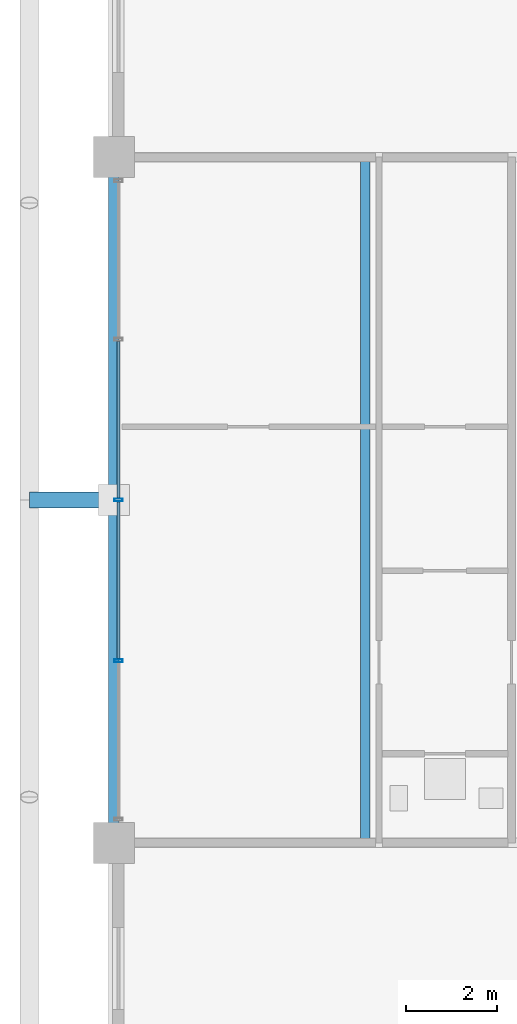
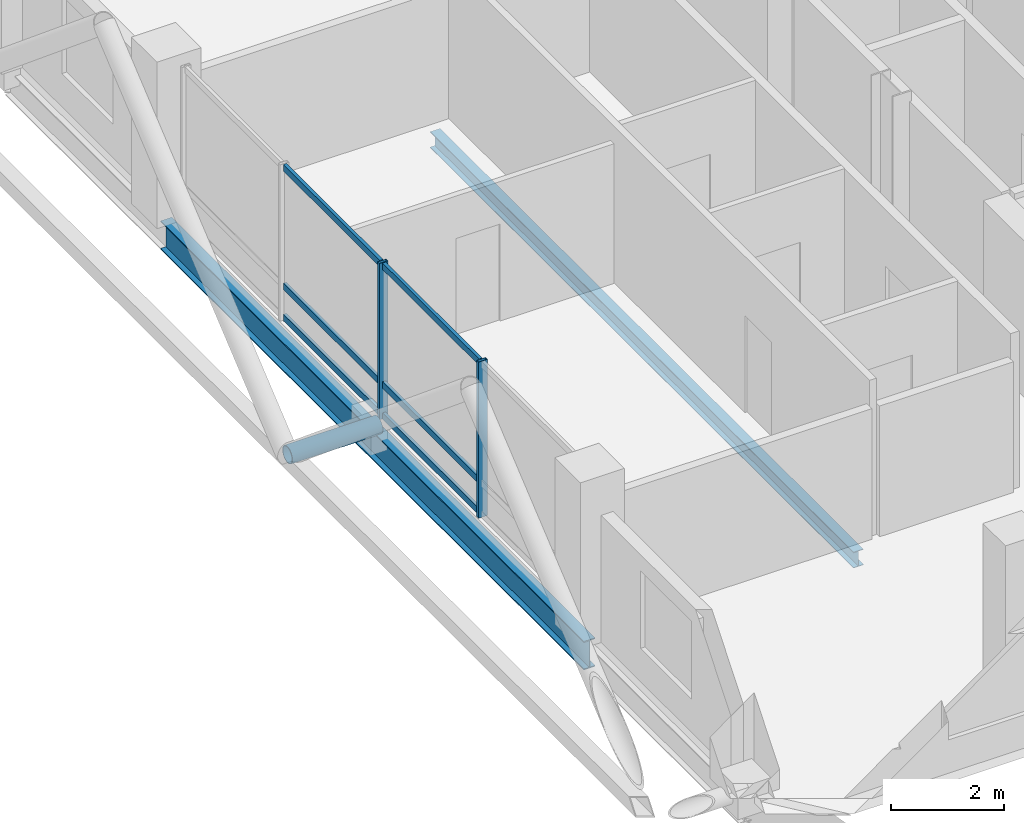
# One storey, part 8 of 24: 9 members, 2 beams, 1 element without a shape of its own.
"""IFC4 building model written with IfcOpenShell, lengths in metres."""

from ifc_helpers import new_model, si_unit, direction, frame, origin, origin_2d, place, context, subcontext, project, spatial, hollow_rectangle, hollow_circle, i_section, extrude, material, layer, layer_set, material_profile, profile_set, type_object, element, aggregate, save


model = new_model("IFC4")

# Units and contexts
model_context = context("Model", 3, precision=1e-05, world=origin(), true_north=direction((0.0, 1.0)))
body_context = subcontext(model_context, "Body", "Model", "MODEL_VIEW")
ifc_project = project(units=[si_unit("LENGTHUNIT", "METRE"), si_unit("AREAUNIT", "SQUARE_METRE"), si_unit("VOLUMEUNIT", "CUBIC_METRE"), si_unit("PLANEANGLEUNIT", "RADIAN"), si_unit("MASSUNIT", "GRAM", prefix="KILO")], contexts=[model_context])

# Site, building, storey
site_placement = place(None, origin())
site = spatial("IfcSite", under=ifc_project, at=site_placement, CompositionType="ELEMENT")
building_placement = place(site_placement, origin())
building = spatial("IfcBuilding", under=site, at=building_placement, Name="Barlavira Tower and Art Museum", CompositionType="ELEMENT")
storey_placement = place(building_placement, frame((0.0, 0.0, 294.300048828125)))
storey = spatial("IfcBuildingStorey", under=building, at=storey_placement, Name="L77", CompositionType="ELEMENT", Elevation=294.300048828125)

# Curtain wall, members
ifc_material_1 = material(Name="Low-iron coastal laminated glass", Category="glass")
ifc_layer = layer(ifc_material_1, 0.2099609375, Name="Low-iron coastal laminated glass")
ifc_layer_set = layer_set([ifc_layer], Name="Low-iron coastal laminated glass")
curtain_wall_type = type_object("IfcCurtainWallType", Name="Pale-Metal Unitised Curtain Wall Zone 4", PredefinedType="NOTDEFINED", material=ifc_layer_set)
curtain_wall_placement = place(storey_placement, origin())
curtain_wall = element("IfcCurtainWall", 1, at=curtain_wall_placement, inside=storey, type_object=curtain_wall_type, Name="L77 Curtain Wall CW4-L77-W-B3", PredefinedType="NOTDEFINED")
ifc_material_2 = material(Name="Pale anodised aluminium", Category="aluminium")
ifc_material_profile_1 = material_profile(ifc_material_2, hollow_rectangle(XDim=0.06494140625, YDim=0.179931640625, WallThickness=0.00390625, at=origin_2d()), Name="ALU-MULL 65x180x4")
ifc_profile_set_1 = profile_set([ifc_material_profile_1], Name="Pale anodised aluminium")
member_type_1 = type_object("IfcMemberType", Name="Curtain Wall Pale-Metal Mullion 65x180", PredefinedType="MULLION", material=ifc_profile_set_1)
member_1_placement = place(storey_placement, frame((-16.89990234375, 0.0, 0.0), z_axis=(0.0, 0.0, 1.0), x_axis=(0.0, -1.0, 0.0)))
member_1 = element("IfcMember", 2, at=member_1_placement, type_object=member_type_1, Name="CW4-L77-W-B3 Mullion 2", PredefinedType="MULLION", context=body_context, shape_type="SweptSolid", body=[
    extrude(hollow_rectangle(XDim=0.06494140625, YDim=0.179931640625, WallThickness=0.00390625, at=origin_2d()), origin(), (0.0, 0.0, 1.0), 3.3798828125),
])
member_2_placement = place(storey_placement, frame((-16.89990234375, -3.514892578125, 0.0), z_axis=(0.0, 0.0, 1.0), x_axis=(0.0, -1.0, 0.0)))
member_2 = element("IfcMember", 3, at=member_2_placement, type_object=member_type_1, Name="CW4-L77-W-B3 Mullion 3", PredefinedType="MULLION", context=body_context, shape_type="SweptSolid", body=[
    extrude(hollow_rectangle(XDim=0.06494140625, YDim=0.179931640625, WallThickness=0.00390625, at=origin_2d()), origin(), (0.0, 0.0, 1.0), 3.3798828125),
])
ifc_material_profile_2 = material_profile(ifc_material_2, hollow_rectangle(XDim=0.06494140625, YDim=0.139892578125, WallThickness=0.00390625, at=origin_2d()), Name="ALU-TRAN 65x140x4")
ifc_profile_set_2 = profile_set([ifc_material_profile_2], Name="Pale anodised aluminium")
member_type_2 = type_object("IfcMemberType", Name="Curtain Wall Pale-Metal Transom 65x140", PredefinedType="USERDEFINED", material=ifc_profile_set_2)
member_3_placement = place(storey_placement, frame((-16.89990234375, 3.469970703125, 0.070068359375), z_axis=(0.0, -1.0, 0.0), x_axis=(1.0, 0.0, 0.0)))
member_3 = element("IfcMember", 4, at=member_3_placement, type_object=member_type_2, Name="CW4-L77-W-B3 Transom 1.1", ObjectType="TRANSOM", PredefinedType="USERDEFINED", context=body_context, shape_type="SweptSolid", body=[
    extrude(hollow_rectangle(XDim=0.06494140625, YDim=0.139892578125, WallThickness=0.00390625, at=origin_2d()), origin(), (0.0, 0.0, 1.0), 3.425048828125),
])
member_4_placement = place(storey_placement, frame((-16.89990234375, 3.469970703125, 0.743896484375), z_axis=(0.0, -1.0, 0.0), x_axis=(1.0, 0.0, 0.0)))
member_4 = element("IfcMember", 5, at=member_4_placement, type_object=member_type_2, Name="CW4-L77-W-B3 Transom 1.2", ObjectType="TRANSOM", PredefinedType="USERDEFINED", context=body_context, shape_type="SweptSolid", body=[
    extrude(hollow_rectangle(XDim=0.06494140625, YDim=0.139892578125, WallThickness=0.00390625, at=origin_2d()), origin(), (0.0, 0.0, 1.0), 3.425048828125),
])
member_5_placement = place(storey_placement, frame((-16.89990234375, 3.469970703125, 3.31005859375), z_axis=(0.0, -1.0, 0.0), x_axis=(1.0, 0.0, 0.0)))
member_5 = element("IfcMember", 6, at=member_5_placement, type_object=member_type_2, Name="CW4-L77-W-B3 Transom 1.3", ObjectType="TRANSOM", PredefinedType="USERDEFINED", context=body_context, shape_type="SweptSolid", body=[
    extrude(hollow_rectangle(XDim=0.06494140625, YDim=0.139892578125, WallThickness=0.00390625, at=origin_2d()), origin(), (0.0, 0.0, 1.0), 3.425048828125),
])
member_6_placement = place(storey_placement, frame((-16.89990234375, -0.044921875, 0.070068359375), z_axis=(0.0, -1.0, 0.0), x_axis=(1.0, 0.0, 0.0)))
member_6 = element("IfcMember", 7, at=member_6_placement, type_object=member_type_2, Name="CW4-L77-W-B3 Transom 2.1", ObjectType="TRANSOM", PredefinedType="USERDEFINED", context=body_context, shape_type="SweptSolid", body=[
    extrude(hollow_rectangle(XDim=0.06494140625, YDim=0.139892578125, WallThickness=0.00390625, at=origin_2d()), origin(), (0.0, 0.0, 1.0), 3.425048828125),
])
member_7_placement = place(storey_placement, frame((-16.89990234375, -0.044921875, 0.743896484375), z_axis=(0.0, -1.0, 0.0), x_axis=(1.0, 0.0, 0.0)))
member_7 = element("IfcMember", 8, at=member_7_placement, type_object=member_type_2, Name="CW4-L77-W-B3 Transom 2.2", ObjectType="TRANSOM", PredefinedType="USERDEFINED", context=body_context, shape_type="SweptSolid", body=[
    extrude(hollow_rectangle(XDim=0.06494140625, YDim=0.139892578125, WallThickness=0.00390625, at=origin_2d()), origin(), (0.0, 0.0, 1.0), 3.425048828125),
])
member_8_placement = place(storey_placement, frame((-16.89990234375, -0.044921875, 3.31005859375), z_axis=(0.0, -1.0, 0.0), x_axis=(1.0, 0.0, 0.0)))
member_8 = element("IfcMember", 9, at=member_8_placement, type_object=member_type_2, Name="CW4-L77-W-B3 Transom 2.3", ObjectType="TRANSOM", PredefinedType="USERDEFINED", context=body_context, shape_type="SweptSolid", body=[
    extrude(hollow_rectangle(XDim=0.06494140625, YDim=0.139892578125, WallThickness=0.00390625, at=origin_2d()), origin(), (0.0, 0.0, 1.0), 3.425048828125),
])
aggregate(curtain_wall, [member_1, member_2, member_3, member_4, member_5, member_6, member_7, member_8])

# Member
ifc_material_3 = material(Name="Steel S355", Category="steel")
ifc_material_profile_3 = material_profile(ifc_material_3, hollow_circle(Radius=0.177734375, WallThickness=0.01611328125, at=origin_2d()), Name="CHS 355.6x16.0")
ifc_profile_set_3 = profile_set([ifc_material_profile_3], Name="Steel S355")
member_type_3 = type_object("IfcMemberType", Name="Pale-Metal Exoskeleton Tie Strut CHS 356x16 Steel S355", PredefinedType="STRUT", material=ifc_profile_set_3)
member_9_placement = place(storey_placement, frame((-18.85009765625, 0.0, -0.1201171875), z_axis=(1.0, 0.0, 0.0), x_axis=(0.0, 1.0, 0.0)))
element("IfcMember", 10, at=member_9_placement, inside=storey, type_object=member_type_3, Name="L77 Exoskeleton Tie Strut W2", PredefinedType="STRUT", context=body_context, shape_type="SweptSolid", body=[
    extrude(hollow_circle(Radius=0.177734375, WallThickness=0.01611328125, at=origin_2d()), origin(), (0.0, 0.0, 1.0), 1.85009765625),
])

# Beams
ifc_material_profile_4 = material_profile(ifc_material_3, i_section(OverallWidth=0.22998046875, OverallDepth=0.616943359375, WebThickness=0.01318359375, FlangeThickness=0.022216796875, at=origin_2d()), Name="W610x140.0")
ifc_profile_set_4 = profile_set([ifc_material_profile_4], Name="Steel S355")
beam_type_1 = type_object("IfcBeamType", Name="Upper Shaft Spandrel Edge Beam W610x140 Steel S355", PredefinedType="SPANDREL", material=ifc_profile_set_4)
beam_1_placement = place(storey_placement, frame((-17.0, -7.5, -0.528564453125), z_axis=(0.0, 1.0, 0.0), x_axis=(-1.0, 0.0, 0.0)))
element("IfcBeam", 11, at=beam_1_placement, inside=storey, type_object=beam_type_1, Name="L77 Spandrel 14", PredefinedType="SPANDREL", context=body_context, shape_type="SweptSolid", body=[
    extrude(i_section(OverallWidth=0.22998046875, OverallDepth=0.616943359375, WebThickness=0.01318359375, FlangeThickness=0.022216796875, at=origin_2d()), origin(), (0.0, 0.0, 1.0), 15.0),
])
ifc_material_profile_5 = material_profile(ifc_material_3, i_section(OverallWidth=0.202880859375, OverallDepth=0.346923828125, WebThickness=0.0078125, FlangeThickness=0.013427734375, at=origin_2d()), Name="W360x64.0")
ifc_profile_set_5 = profile_set([ifc_material_profile_5], Name="Steel S355")
beam_type_2 = type_object("IfcBeamType", Name="Zone 4 Composite Floor Joist W360x64 Steel S355", PredefinedType="JOIST", material=ifc_profile_set_5)
beam_2_placement = place(storey_placement, frame((-11.5, -7.5, -0.3935546875), z_axis=(0.0, 1.0, 0.0), x_axis=(-1.0, 0.0, 0.0)))
element("IfcBeam", 12, at=beam_2_placement, inside=storey, type_object=beam_type_2, Name="L77 Joist W1", PredefinedType="JOIST", context=body_context, shape_type="SweptSolid", body=[
    extrude(i_section(OverallWidth=0.202880859375, OverallDepth=0.346923828125, WebThickness=0.0078125, FlangeThickness=0.013427734375, at=origin_2d()), origin(), (0.0, 0.0, 1.0), 15.0),
])

save(model, "model.ifc")
